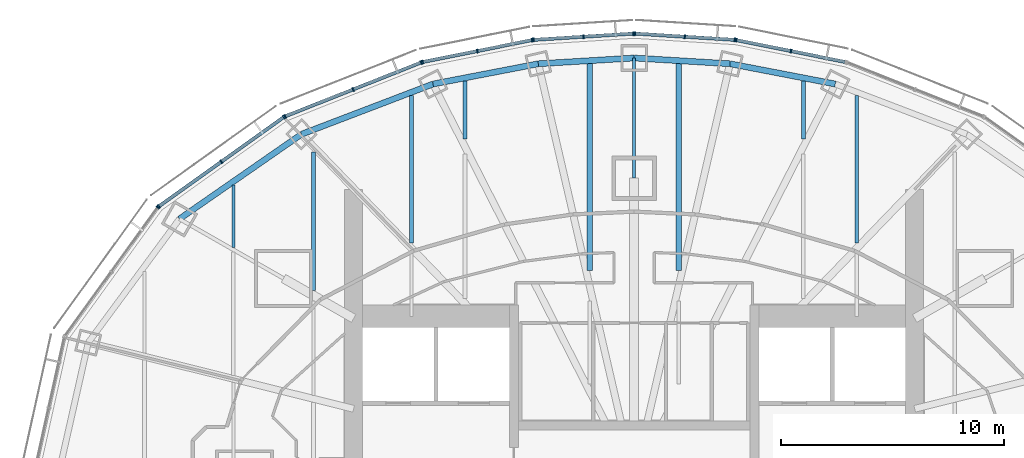
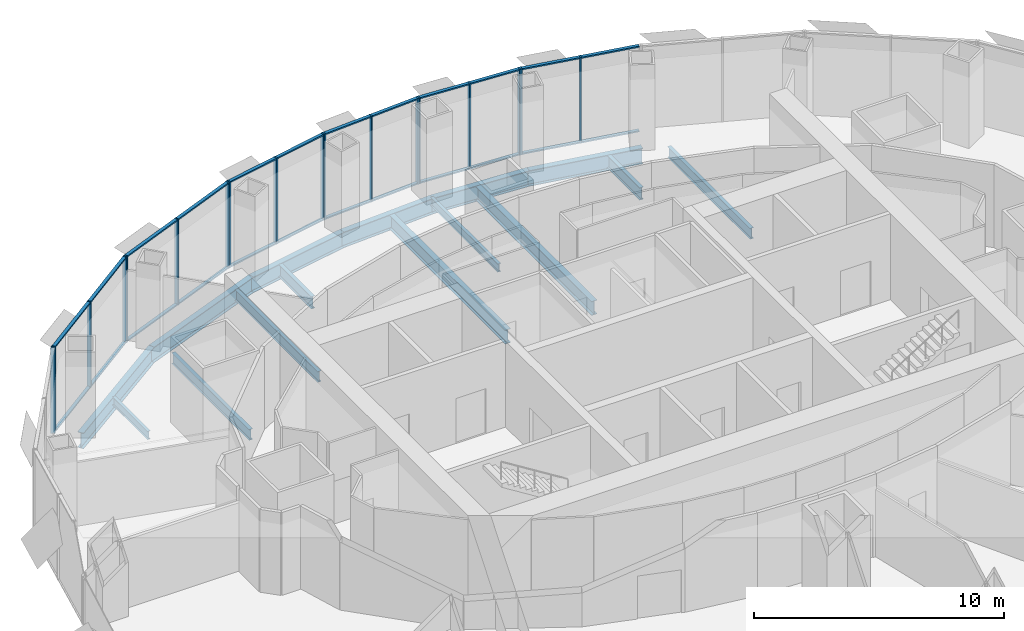
# One storey, part 8 of 17: 42 members, 15 beams, 7 elements without a shape of their own.
"""IFC4 building model written with IfcOpenShell, lengths in metres."""

from ifc_helpers import new_model, si_unit, direction, frame, origin, origin_2d, place, context, subcontext, project, spatial, rectangle, i_section, extrude, material, material_profile, profile_set, type_object, element, aggregate, save


model = new_model("IFC4")

# Units and contexts
model_context = context("Model", 3, precision=1e-05, world=origin(), true_north=direction((0.0, 1.0)))
body_context = subcontext(model_context, "Body", "Model", "MODEL_VIEW")
ifc_project = project(units=[si_unit("LENGTHUNIT", "METRE"), si_unit("AREAUNIT", "SQUARE_METRE"), si_unit("VOLUMEUNIT", "CUBIC_METRE"), si_unit("PLANEANGLEUNIT", "RADIAN"), si_unit("MASSUNIT", "GRAM", prefix="KILO")], contexts=[model_context])

# Site, building, storey
site_placement = place(None, origin())
site = spatial("IfcSite", under=ifc_project, at=site_placement, CompositionType="ELEMENT")
building_placement = place(site_placement, origin())
building = spatial("IfcBuilding", under=site, at=building_placement, Name="Lantaw Convention Tower", CompositionType="ELEMENT")
storey_placement = place(building_placement, frame((0.0, 0.0, 220.0)))
storey = spatial("IfcBuildingStorey", under=building, at=storey_placement, Name="L51", CompositionType="ELEMENT", Elevation=220.0)

# Beams
ifc_material_1 = material(Name="Steel ASTM A992", Category="steel")
ifc_material_profile_1 = material_profile(ifc_material_1, i_section(OverallWidth=0.2666015625, OverallDepth=0.76953125, WebThickness=0.015625, FlangeThickness=0.025390625, FilletRadius=0.0126953125, at=origin_2d()), Name="W30X132")
ifc_profile_set_1 = profile_set([ifc_material_profile_1], Name="Steel ASTM A992")
beam_type_1 = type_object("IfcBeamType", Name="Beam E W30X132", PredefinedType="SPANDREL", material=ifc_profile_set_1)
beam_1_placement = place(storey_placement, frame((9.03466796875, 17.7314453125, -0.534912109375), z_axis=(-0.981972091702, 0.189025953556, 0.0), x_axis=(-0.189025953556, -0.981972091702, 0.0)))
element("IfcBeam", 1, at=beam_1_placement, inside=storey, type_object=beam_type_1, Name="Edge beam 5", PredefinedType="SPANDREL", context=body_context, shape_type="SweptSolid", body=[
    extrude(i_section(OverallWidth=0.2666015625, OverallDepth=0.76953125, WebThickness=0.015625, FlangeThickness=0.025390625, FilletRadius=0.0126953125, at=origin_2d()), origin(), (0.0, 0.0, 1.0), 4.817626953125),
])
for number, where, z_axis, x_axis, name in (
    (2, (4.303955078125, 18.64208984375, -0.534912109375), (-0.998210730897, 0.059794119452, 0.0), (-0.059794119452, -0.998210730897, 0.0), "Edge beam 6"),
    (3, (0.0, 18.89990234375, -0.534912109375), (-0.998210730897, -0.059794119452, 0.0), (0.059794119452, -0.998210730897, 0.0), "Edge beam 7"),
):
    element("IfcBeam", number, at=place(storey_placement, frame(where, z_axis=z_axis, x_axis=x_axis)), inside=storey, type_object=beam_type_1, Name=name, PredefinedType="SPANDREL", context=body_context, shape_type="SweptSolid", body=[
        extrude(i_section(OverallWidth=0.2666015625, OverallDepth=0.76953125, WebThickness=0.015625, FlangeThickness=0.025390625, FilletRadius=0.0126953125, at=origin_2d()), origin(), (0.0, 0.0, 1.0), 4.311767578125),
    ])
beam_2_placement = place(storey_placement, frame((-4.303955078125, 18.64208984375, -0.534912109375), z_axis=(-0.981972091702, -0.189025953556, 0.0), x_axis=(0.189025953556, -0.981972091702, 0.0)))
element("IfcBeam", 4, at=beam_2_placement, inside=storey, type_object=beam_type_1, Name="Edge beam 8", PredefinedType="SPANDREL", context=body_context, shape_type="SweptSolid", body=[
    extrude(i_section(OverallWidth=0.2666015625, OverallDepth=0.76953125, WebThickness=0.015625, FlangeThickness=0.025390625, FilletRadius=0.0126953125, at=origin_2d()), origin(), (0.0, 0.0, 1.0), 4.817626953125),
])
beam_3_placement = place(storey_placement, frame((-9.03466796875, 17.7314453125, -0.534912109375), z_axis=(-0.934234988, -0.356658081637, 0.0), x_axis=(0.356658081637, -0.934234988, 0.0)))
element("IfcBeam", 5, at=beam_3_placement, inside=storey, type_object=beam_type_1, Name="Edge beam 9", PredefinedType="SPANDREL", context=body_context, shape_type="SweptSolid", body=[
    extrude(i_section(OverallWidth=0.2666015625, OverallDepth=0.76953125, WebThickness=0.015625, FlangeThickness=0.025390625, FilletRadius=0.0126953125, at=origin_2d()), origin(), (0.0, 0.0, 1.0), 6.32568359375),
])
beam_4_placement = place(storey_placement, frame((-14.9443359375, 15.475341796875, -0.534912109375), z_axis=(-0.82135329406, -0.570419815869, 0.0), x_axis=(0.570419815869, -0.82135329406, 0.0)))
element("IfcBeam", 6, at=beam_4_placement, inside=storey, type_object=beam_type_1, Name="Edge beam 10", PredefinedType="SPANDREL", context=body_context, shape_type="SweptSolid", body=[
    extrude(i_section(OverallWidth=0.2666015625, OverallDepth=0.76953125, WebThickness=0.015625, FlangeThickness=0.025390625, FilletRadius=0.0126953125, at=origin_2d()), origin(), (0.0, 0.0, 1.0), 6.67041015625),
])
ifc_material_profile_2 = material_profile(ifc_material_1, i_section(OverallWidth=0.140380859375, OverallDepth=0.40380859375, WebThickness=0.007080078125, FlangeThickness=0.01123046875, FilletRadius=0.01025390625, at=origin_2d()), Name="W16X31")
ifc_profile_set_2 = profile_set([ifc_material_profile_2], Name="Steel ASTM A992")
beam_type_2 = type_object("IfcBeamType", Name="Beam G W16X31", PredefinedType="BEAM", material=ifc_profile_set_2)
beam_5_placement = place(storey_placement, frame((0.0, 13.5, -0.35205078125), z_axis=(0.0, 1.0, 0.0), x_axis=(-1.0, 0.0, 0.0)))
element("IfcBeam", 7, at=beam_5_placement, inside=storey, type_object=beam_type_2, Name="Floor girder on ray 7", PredefinedType="BEAM", context=body_context, shape_type="SweptSolid", body=[
    extrude(i_section(OverallWidth=0.140380859375, OverallDepth=0.40380859375, WebThickness=0.007080078125, FlangeThickness=0.01123046875, FilletRadius=0.01025390625, at=origin_2d()), origin(), (0.0, 0.0, 1.0), 5.39990234375),
])
ifc_material_profile_3 = material_profile(ifc_material_1, i_section(OverallWidth=0.140380859375, OverallDepth=0.40380859375, WebThickness=0.007080078125, FlangeThickness=0.01123046875, FilletRadius=0.01025390625, at=origin_2d()), Name="W16X31")
ifc_profile_set_3 = profile_set([ifc_material_profile_3], Name="Steel ASTM A992")
beam_type_3 = type_object("IfcBeamType", Name="Beam J W16X31", PredefinedType="JOIST", material=ifc_profile_set_3)
beam_6_placement = place(storey_placement, frame((-18.0, 10.380859375, -0.35205078125), z_axis=(0.0, 1.0, 0.0), x_axis=(-1.0, 0.0, 0.0)))
element("IfcBeam", 8, at=beam_6_placement, inside=storey, type_object=beam_type_3, Name="Floor joist", PredefinedType="JOIST", context=body_context, shape_type="SweptSolid", body=[
    extrude(i_section(OverallWidth=0.140380859375, OverallDepth=0.40380859375, WebThickness=0.007080078125, FlangeThickness=0.01123046875, FilletRadius=0.01025390625, at=origin_2d()), origin(), (0.0, 0.0, 1.0), 2.81005859375),
])
ifc_material_profile_4 = material_profile(ifc_material_1, i_section(OverallWidth=0.1650390625, OverallDepth=0.52587890625, WebThickness=0.0087890625, FlangeThickness=0.011474609375, FilletRadius=0.0126953125, at=origin_2d()), Name="W21X44")
ifc_profile_set_4 = profile_set([ifc_material_profile_4], Name="Steel ASTM A992")
beam_type_4 = type_object("IfcBeamType", Name="Beam J W21X44", PredefinedType="JOIST", material=ifc_profile_set_4)
beam_7_placement = place(storey_placement, frame((-14.39990234375, 8.461181640625, -0.412841796875), z_axis=(0.0, 1.0, 0.0), x_axis=(-1.0, 0.0, 0.0)))
element("IfcBeam", 9, at=beam_7_placement, inside=storey, type_object=beam_type_4, Name="Floor joist", PredefinedType="JOIST", context=body_context, shape_type="SweptSolid", body=[
    extrude(i_section(OverallWidth=0.1650390625, OverallDepth=0.52587890625, WebThickness=0.0087890625, FlangeThickness=0.011474609375, FilletRadius=0.0126953125, at=origin_2d()), origin(), (0.0, 0.0, 1.0), 6.214599609375),
])
for number, where, z_axis, x_axis, name in (
    (10, (-10.0, 10.591064453125, -0.412841796875), (0.0, 1.0, 0.0), (-1.0, 0.0, 0.0), "Floor joist"),
    (11, (10.0, 10.591064453125, -0.412841796875), (0.0, 1.0, 0.0), (-1.0, 0.0, 0.0), "Floor joist"),
):
    element("IfcBeam", number, at=place(storey_placement, frame(where, z_axis=z_axis, x_axis=x_axis)), inside=storey, type_object=beam_type_4, Name=name, PredefinedType="JOIST", context=body_context, shape_type="SweptSolid", body=[
        extrude(i_section(OverallWidth=0.1650390625, OverallDepth=0.52587890625, WebThickness=0.0087890625, FlangeThickness=0.011474609375, FilletRadius=0.0126953125, at=origin_2d()), origin(), (0.0, 0.0, 1.0), 6.629150390625),
    ])
ifc_material_profile_5 = material_profile(ifc_material_1, i_section(OverallWidth=0.177978515625, OverallDepth=0.599365234375, WebThickness=0.010009765625, FlangeThickness=0.012939453125, FilletRadius=0.012939453125, at=origin_2d()), Name="W24X55")
ifc_profile_set_5 = profile_set([ifc_material_profile_5], Name="Steel ASTM A992")
beam_type_5 = type_object("IfcBeamType", Name="Beam J W24X55", PredefinedType="JOIST", material=ifc_profile_set_5)
for number, where, z_axis, x_axis, name in (
    (12, (-7.60009765625, 15.25439453125, -0.44970703125), (0.0, 1.0, 0.0), (-1.0, 0.0, 0.0), "Floor joist"),
    (13, (7.60009765625, 15.25439453125, -0.44970703125), (0.0, 1.0, 0.0), (-1.0, 0.0, 0.0), "Floor joist"),
):
    element("IfcBeam", number, at=place(storey_placement, frame(where, z_axis=z_axis, x_axis=x_axis)), inside=storey, type_object=beam_type_5, Name=name, PredefinedType="JOIST", context=body_context, shape_type="SweptSolid", body=[
        extrude(i_section(OverallWidth=0.177978515625, OverallDepth=0.599365234375, WebThickness=0.010009765625, FlangeThickness=0.012939453125, FilletRadius=0.012939453125, at=origin_2d()), origin(), (0.0, 0.0, 1.0), 2.617431640625),
    ])
ifc_material_profile_6 = material_profile(ifc_material_1, i_section(OverallWidth=0.25390625, OverallDepth=0.683349609375, WebThickness=0.012451171875, FlangeThickness=0.01904296875, FilletRadius=0.01513671875, at=origin_2d()), Name="W27X94")
ifc_profile_set_6 = profile_set([ifc_material_profile_6], Name="Steel ASTM A992")
beam_type_6 = type_object("IfcBeamType", Name="Beam J W27X94", PredefinedType="JOIST", material=ifc_profile_set_6)
for number, where, z_axis, x_axis, name in (
    (14, (-2.0, 9.34619140625, -0.49169921875), (0.0, 1.0, 0.0), (-1.0, 0.0, 0.0), "Floor joist"),
    (15, (2.0, 9.34619140625, -0.49169921875), (0.0, 1.0, 0.0), (-1.0, 0.0, 0.0), "Floor joist"),
):
    element("IfcBeam", number, at=place(storey_placement, frame(where, z_axis=z_axis, x_axis=x_axis)), inside=storey, type_object=beam_type_6, Name=name, PredefinedType="JOIST", context=body_context, shape_type="SweptSolid", body=[
        extrude(i_section(OverallWidth=0.25390625, OverallDepth=0.683349609375, WebThickness=0.012451171875, FlangeThickness=0.01904296875, FilletRadius=0.01513671875, at=origin_2d()), origin(), (0.0, 0.0, 1.0), 9.30029296875),
    ])

# Curtain wall, members
ifc_material_2 = material(Name="Aluminium framed curtain wall", Category="aluminium")
curtain_wall_type = type_object("IfcCurtainWallType", Name="Office curtain wall high rise, pale aluminium", PredefinedType="USERDEFINED", material=ifc_material_2)
curtain_wall_1_placement = place(storey_placement, origin())
curtain_wall_1 = element("IfcCurtainWall", 16, at=curtain_wall_1_placement, inside=storey, type_object=curtain_wall_type, Name="Office curtain wall high rise, pale aluminium L51", ObjectType="UNITISED CURTAIN WALL", PredefinedType="USERDEFINED")
ifc_material_3 = material(Name="Aluminium 6063-T6", Category="aluminium")
ifc_material_profile_7 = material_profile(ifc_material_3, rectangle(XDim=0.179931640625, YDim=0.06494140625, at=origin_2d()), Name="CW-O2 mullion 65x180")
ifc_profile_set_7 = profile_set([ifc_material_profile_7], Name="Aluminium 6063-T6")
member_type_1 = type_object("IfcMemberType", Name="CW-O2 mullion 65x180", PredefinedType="MULLION", material=ifc_profile_set_7)
member_1_placement = place(storey_placement, frame((7.042724609375, 19.212646484375, -0.14990234375), z_axis=(0.0, 0.0, 1.0), x_axis=(-0.197183095987, -0.980366679695, 0.0)))
member_1 = element("IfcMember", 17, at=member_1_placement, type_object=member_type_1, Name="CW-O2 mullion 2", PredefinedType="MULLION", context=body_context, shape_type="SweptSolid", body=[
    extrude(rectangle(XDim=0.179931640625, YDim=0.06494140625, at=origin_2d()), origin(), (0.0, 0.0, 1.0), 4.199951171875),
])
member_2_placement = place(storey_placement, frame((4.583251953125, 19.70751953125, -0.14990234375), z_axis=(0.0, 0.0, 1.0), x_axis=(-0.197183095987, -0.980366679695, 0.0)))
member_2 = element("IfcMember", 18, at=member_2_placement, type_object=member_type_1, Name="CW-O2 mullion 3", PredefinedType="MULLION", context=body_context, shape_type="SweptSolid", body=[
    extrude(rectangle(XDim=0.179931640625, YDim=0.06494140625, at=origin_2d()), origin(), (0.0, 0.0, 1.0), 4.199951171875),
])

curtain_wall_2_placement = place(storey_placement, origin())
curtain_wall_2 = element("IfcCurtainWall", 19, at=curtain_wall_2_placement, inside=storey, type_object=curtain_wall_type, Name="Office curtain wall high rise, pale aluminium L51", ObjectType="UNITISED CURTAIN WALL", PredefinedType="USERDEFINED")
member_3_placement = place(storey_placement, frame((4.518798828125, 19.7158203125, -0.14990234375), z_axis=(0.0, 0.0, 1.0), x_axis=(-0.062757983884, -0.998028774865, 0.0)))
member_3 = element("IfcMember", 20, at=member_3_placement, type_object=member_type_1, Name="CW-O2 mullion 1", PredefinedType="MULLION", context=body_context, shape_type="SweptSolid", body=[
    extrude(rectangle(XDim=0.179931640625, YDim=0.06494140625, at=origin_2d()), origin(), (0.0, 0.0, 1.0), 4.199951171875),
])
member_4_placement = place(storey_placement, frame((2.275634765625, 19.85693359375, -0.14990234375), z_axis=(0.0, 0.0, 1.0), x_axis=(-0.062757983884, -0.998028774865, 0.0)))
member_4 = element("IfcMember", 21, at=member_4_placement, type_object=member_type_1, Name="CW-O2 mullion 2", PredefinedType="MULLION", context=body_context, shape_type="SweptSolid", body=[
    extrude(rectangle(XDim=0.179931640625, YDim=0.06494140625, at=origin_2d()), origin(), (0.0, 0.0, 1.0), 4.199951171875),
])
member_5_placement = place(storey_placement, frame((0.032470703125, 19.998046875, -0.14990234375), z_axis=(0.0, 0.0, 1.0), x_axis=(-0.062757983884, -0.998028774865, 0.0)))
member_5 = element("IfcMember", 22, at=member_5_placement, type_object=member_type_1, Name="CW-O2 mullion 3", PredefinedType="MULLION", context=body_context, shape_type="SweptSolid", body=[
    extrude(rectangle(XDim=0.179931640625, YDim=0.06494140625, at=origin_2d()), origin(), (0.0, 0.0, 1.0), 4.199951171875),
])

curtain_wall_3_placement = place(storey_placement, origin())
curtain_wall_3 = element("IfcCurtainWall", 23, at=curtain_wall_3_placement, inside=storey, type_object=curtain_wall_type, Name="Office curtain wall high rise, pale aluminium L51", ObjectType="UNITISED CURTAIN WALL", PredefinedType="USERDEFINED")
member_6_placement = place(storey_placement, frame((-0.032470703125, 19.998046875, -0.14990234375), z_axis=(0.0, 0.0, 1.0), x_axis=(0.062757983884, -0.998028774865, 0.0)))
member_6 = element("IfcMember", 24, at=member_6_placement, type_object=member_type_1, Name="CW-O2 mullion 1", PredefinedType="MULLION", context=body_context, shape_type="SweptSolid", body=[
    extrude(rectangle(XDim=0.179931640625, YDim=0.06494140625, at=origin_2d()), origin(), (0.0, 0.0, 1.0), 4.199951171875),
])
member_7_placement = place(storey_placement, frame((-2.275634765625, 19.85693359375, -0.14990234375), z_axis=(0.0, 0.0, 1.0), x_axis=(0.062757983884, -0.998028774865, 0.0)))
member_7 = element("IfcMember", 25, at=member_7_placement, type_object=member_type_1, Name="CW-O2 mullion 2", PredefinedType="MULLION", context=body_context, shape_type="SweptSolid", body=[
    extrude(rectangle(XDim=0.179931640625, YDim=0.06494140625, at=origin_2d()), origin(), (0.0, 0.0, 1.0), 4.199951171875),
])
member_8_placement = place(storey_placement, frame((-4.518798828125, 19.7158203125, -0.14990234375), z_axis=(0.0, 0.0, 1.0), x_axis=(0.062757983884, -0.998028774865, 0.0)))
member_8 = element("IfcMember", 26, at=member_8_placement, type_object=member_type_1, Name="CW-O2 mullion 3", PredefinedType="MULLION", context=body_context, shape_type="SweptSolid", body=[
    extrude(rectangle(XDim=0.179931640625, YDim=0.06494140625, at=origin_2d()), origin(), (0.0, 0.0, 1.0), 4.199951171875),
])

curtain_wall_4_placement = place(storey_placement, origin())
curtain_wall_4 = element("IfcCurtainWall", 27, at=curtain_wall_4_placement, inside=storey, type_object=curtain_wall_type, Name="Office curtain wall high rise, pale aluminium L51", ObjectType="UNITISED CURTAIN WALL", PredefinedType="USERDEFINED")
member_9_placement = place(storey_placement, frame((-4.583251953125, 19.70751953125, -0.14990234375), z_axis=(0.0, 0.0, 1.0), x_axis=(0.197183095987, -0.980366679695, 0.0)))
member_9 = element("IfcMember", 28, at=member_9_placement, type_object=member_type_1, Name="CW-O2 mullion 1", PredefinedType="MULLION", context=body_context, shape_type="SweptSolid", body=[
    extrude(rectangle(XDim=0.179931640625, YDim=0.06494140625, at=origin_2d()), origin(), (0.0, 0.0, 1.0), 4.199951171875),
])
member_10_placement = place(storey_placement, frame((-7.042724609375, 19.212646484375, -0.14990234375), z_axis=(0.0, 0.0, 1.0), x_axis=(0.197183095987, -0.980366679695, 0.0)))
member_10 = element("IfcMember", 29, at=member_10_placement, type_object=member_type_1, Name="CW-O2 mullion 2", PredefinedType="MULLION", context=body_context, shape_type="SweptSolid", body=[
    extrude(rectangle(XDim=0.179931640625, YDim=0.06494140625, at=origin_2d()), origin(), (0.0, 0.0, 1.0), 4.199951171875),
])
member_11_placement = place(storey_placement, frame((-9.502197265625, 18.718017578125, -0.14990234375), z_axis=(0.0, 0.0, 1.0), x_axis=(0.197183095987, -0.980366679695, 0.0)))
member_11 = element("IfcMember", 30, at=member_11_placement, type_object=member_type_1, Name="CW-O2 mullion 3", PredefinedType="MULLION", context=body_context, shape_type="SweptSolid", body=[
    extrude(rectangle(XDim=0.179931640625, YDim=0.06494140625, at=origin_2d()), origin(), (0.0, 0.0, 1.0), 4.199951171875),
])

curtain_wall_5_placement = place(storey_placement, origin())
curtain_wall_5 = element("IfcCurtainWall", 31, at=curtain_wall_5_placement, inside=storey, type_object=curtain_wall_type, Name="Office curtain wall high rise, pale aluminium L51", ObjectType="UNITISED CURTAIN WALL", PredefinedType="USERDEFINED")
member_12_placement = place(storey_placement, frame((-9.564208984375, 18.69970703125, -0.14990234375), z_axis=(0.0, 0.0, 1.0), x_axis=(0.368162315252, -0.929761533743, 0.0)))
member_12 = element("IfcMember", 32, at=member_12_placement, type_object=member_type_1, Name="CW-O2 mullion 1", PredefinedType="MULLION", context=body_context, shape_type="SweptSolid", body=[
    extrude(rectangle(XDim=0.179931640625, YDim=0.06494140625, at=origin_2d()), origin(), (0.0, 0.0, 1.0), 4.199951171875),
])
member_13_placement = place(storey_placement, frame((-12.621337890625, 17.4892578125, -0.14990234375), z_axis=(0.0, 0.0, 1.0), x_axis=(0.368162315252, -0.929761533743, 0.0)))
member_13 = element("IfcMember", 33, at=member_13_placement, type_object=member_type_1, Name="CW-O2 mullion 2", PredefinedType="MULLION", context=body_context, shape_type="SweptSolid", body=[
    extrude(rectangle(XDim=0.179931640625, YDim=0.06494140625, at=origin_2d()), origin(), (0.0, 0.0, 1.0), 4.199951171875),
])
member_14_placement = place(storey_placement, frame((-15.67822265625, 16.278564453125, -0.14990234375), z_axis=(0.0, 0.0, 1.0), x_axis=(0.368162315252, -0.929761533743, 0.0)))
member_14 = element("IfcMember", 34, at=member_14_placement, type_object=member_type_1, Name="CW-O2 mullion 3", PredefinedType="MULLION", context=body_context, shape_type="SweptSolid", body=[
    extrude(rectangle(XDim=0.179931640625, YDim=0.06494140625, at=origin_2d()), origin(), (0.0, 0.0, 1.0), 4.199951171875),
])

curtain_wall_6_placement = place(storey_placement, origin())
curtain_wall_6 = element("IfcCurtainWall", 35, at=curtain_wall_6_placement, inside=storey, type_object=curtain_wall_type, Name="Office curtain wall high rise, pale aluminium L51", ObjectType="UNITISED CURTAIN WALL", PredefinedType="USERDEFINED")
member_15_placement = place(storey_placement, frame((-15.73486328125, 16.247802734375, -0.14990234375), z_axis=(0.0, 0.0, 1.0), x_axis=(0.581323487281, -0.813672540482, 0.0)))
member_15 = element("IfcMember", 36, at=member_15_placement, type_object=member_type_1, Name="CW-O2 mullion 1", PredefinedType="MULLION", context=body_context, shape_type="SweptSolid", body=[
    extrude(rectangle(XDim=0.179931640625, YDim=0.06494140625, at=origin_2d()), origin(), (0.0, 0.0, 1.0), 4.199951171875),
])
member_16_placement = place(storey_placement, frame((-18.543212890625, 14.241455078125, -0.14990234375), z_axis=(0.0, 0.0, 1.0), x_axis=(0.581323487281, -0.813672540482, 0.0)))
member_16 = element("IfcMember", 37, at=member_16_placement, type_object=member_type_1, Name="CW-O2 mullion 2", PredefinedType="MULLION", context=body_context, shape_type="SweptSolid", body=[
    extrude(rectangle(XDim=0.179931640625, YDim=0.06494140625, at=origin_2d()), origin(), (0.0, 0.0, 1.0), 4.199951171875),
])
member_17_placement = place(storey_placement, frame((-21.3515625, 12.23486328125, -0.14990234375), z_axis=(0.0, 0.0, 1.0), x_axis=(0.581323487281, -0.813672540482, 0.0)))
member_17 = element("IfcMember", 38, at=member_17_placement, type_object=member_type_1, Name="CW-O2 mullion 3", PredefinedType="MULLION", context=body_context, shape_type="SweptSolid", body=[
    extrude(rectangle(XDim=0.179931640625, YDim=0.06494140625, at=origin_2d()), origin(), (0.0, 0.0, 1.0), 4.199951171875),
])

# Curtain wall, member
curtain_wall_7_placement = place(storey_placement, origin())
curtain_wall_7 = element("IfcCurtainWall", 39, at=curtain_wall_7_placement, inside=storey, type_object=curtain_wall_type, Name="Office curtain wall high rise, pale aluminium L51", ObjectType="UNITISED CURTAIN WALL", PredefinedType="USERDEFINED")
member_18_placement = place(storey_placement, frame((-21.397216796875, 12.189697265625, -0.14990234375), z_axis=(0.0, 0.0, 1.0), x_axis=(0.810919559405, -0.585157643865, 0.0)))
member_18 = element("IfcMember", 40, at=member_18_placement, type_object=member_type_1, Name="CW-O2 mullion 1", PredefinedType="MULLION", context=body_context, shape_type="SweptSolid", body=[
    extrude(rectangle(XDim=0.179931640625, YDim=0.06494140625, at=origin_2d()), origin(), (0.0, 0.0, 1.0), 4.199951171875),
])
aggregate(curtain_wall_7, [member_18])

# Member
ifc_material_profile_8 = material_profile(ifc_material_3, rectangle(XDim=0.14990234375, YDim=0.06494140625, at=origin_2d()), Name="CW-O2 transom 65x150")
ifc_profile_set_8 = profile_set([ifc_material_profile_8], Name="Aluminium 6063-T6")
member_type_2 = type_object("IfcMemberType", Name="CW-O2 transom 65x150", PredefinedType="USERDEFINED", material=ifc_profile_set_8)
member_19_placement = place(storey_placement, frame((9.47021484375, 18.724365234375, -0.117431640625), z_axis=(-0.98036104319, 0.197211117829, 0.0), x_axis=(-0.197211117829, -0.98036104319, 0.0)))
member_19 = element("IfcMember", 41, at=member_19_placement, type_object=member_type_2, Name="CW-O2 transom 1.1", ObjectType="TRANSOM", PredefinedType="USERDEFINED", context=body_context, shape_type="SweptSolid", body=[
    extrude(rectangle(XDim=0.14990234375, YDim=0.06494140625, at=origin_2d()), origin(), (0.0, 0.0, 1.0), 2.44384765625),
])

member_20_placement = place(storey_placement, frame((9.47021484375, 18.724365234375, 4.017578125), z_axis=(-0.98036104319, 0.197211117829, 0.0), x_axis=(-0.197211117829, -0.98036104319, 0.0)))
member_20 = element("IfcMember", 42, at=member_20_placement, type_object=member_type_2, Name="CW-O2 transom 1.2", ObjectType="TRANSOM", PredefinedType="USERDEFINED", context=body_context, shape_type="SweptSolid", body=[
    extrude(rectangle(XDim=0.14990234375, YDim=0.06494140625, at=origin_2d()), origin(), (0.0, 0.0, 1.0), 2.44384765625),
])

member_21_placement = place(storey_placement, frame((7.0107421875, 19.21923828125, -0.117431640625), z_axis=(-0.980380354178, 0.197115096178, 0.0), x_axis=(-0.197115096178, -0.980380354178, 0.0)))
member_21 = element("IfcMember", 43, at=member_21_placement, type_object=member_type_2, Name="CW-O2 transom 2.1", ObjectType="TRANSOM", PredefinedType="USERDEFINED", context=body_context, shape_type="SweptSolid", body=[
    extrude(rectangle(XDim=0.14990234375, YDim=0.06494140625, at=origin_2d()), origin(), (0.0, 0.0, 1.0), 2.443603515625),
])

member_22_placement = place(storey_placement, frame((7.0107421875, 19.21923828125, 4.017578125), z_axis=(-0.980380354178, 0.197115096178, 0.0), x_axis=(-0.197115096178, -0.980380354178, 0.0)))
member_22 = element("IfcMember", 44, at=member_22_placement, type_object=member_type_2, Name="CW-O2 transom 2.2", ObjectType="TRANSOM", PredefinedType="USERDEFINED", context=body_context, shape_type="SweptSolid", body=[
    extrude(rectangle(XDim=0.14990234375, YDim=0.06494140625, at=origin_2d()), origin(), (0.0, 0.0, 1.0), 2.443603515625),
])

aggregate(curtain_wall_1, [member_1, member_2, member_19, member_20, member_21, member_22])

member_23_placement = place(storey_placement, frame((4.486328125, 19.7177734375, -0.117431640625), z_axis=(-0.998021991509, 0.062865765437, 0.0), x_axis=(-0.062865765437, -0.998021991509, 0.0)))
member_23 = element("IfcMember", 45, at=member_23_placement, type_object=member_type_2, Name="CW-O2 transom 1.1", ObjectType="TRANSOM", PredefinedType="USERDEFINED", context=body_context, shape_type="SweptSolid", body=[
    extrude(rectangle(XDim=0.14990234375, YDim=0.06494140625, at=origin_2d()), origin(), (0.0, 0.0, 1.0), 2.1826171875),
])

member_24_placement = place(storey_placement, frame((4.486328125, 19.7177734375, 4.017578125), z_axis=(-0.998021991509, 0.062865765437, 0.0), x_axis=(-0.062865765437, -0.998021991509, 0.0)))
member_24 = element("IfcMember", 46, at=member_24_placement, type_object=member_type_2, Name="CW-O2 transom 1.2", ObjectType="TRANSOM", PredefinedType="USERDEFINED", context=body_context, shape_type="SweptSolid", body=[
    extrude(rectangle(XDim=0.14990234375, YDim=0.06494140625, at=origin_2d()), origin(), (0.0, 0.0, 1.0), 2.1826171875),
])

member_25_placement = place(storey_placement, frame((2.2431640625, 19.85888671875, -0.117431640625), z_axis=(-0.998029003644, 0.062754345555, 0.0), x_axis=(-0.062754345555, -0.998029003644, 0.0)))
member_25 = element("IfcMember", 47, at=member_25_placement, type_object=member_type_2, Name="CW-O2 transom 2.1", ObjectType="TRANSOM", PredefinedType="USERDEFINED", context=body_context, shape_type="SweptSolid", body=[
    extrude(rectangle(XDim=0.14990234375, YDim=0.06494140625, at=origin_2d()), origin(), (0.0, 0.0, 1.0), 2.1826171875),
])

member_26_placement = place(storey_placement, frame((2.2431640625, 19.85888671875, 4.017578125), z_axis=(-0.998029003644, 0.062754345555, 0.0), x_axis=(-0.062754345555, -0.998029003644, 0.0)))
member_26 = element("IfcMember", 48, at=member_26_placement, type_object=member_type_2, Name="CW-O2 transom 2.2", ObjectType="TRANSOM", PredefinedType="USERDEFINED", context=body_context, shape_type="SweptSolid", body=[
    extrude(rectangle(XDim=0.14990234375, YDim=0.06494140625, at=origin_2d()), origin(), (0.0, 0.0, 1.0), 2.1826171875),
])

aggregate(curtain_wall_2, [member_3, member_4, member_5, member_23, member_24, member_25, member_26])

member_27_placement = place(storey_placement, frame((-0.06494140625, 19.995849609375, -0.117431640625), z_axis=(-0.998029003644, -0.062754345555, 0.0), x_axis=(0.062754345555, -0.998029003644, 0.0)))
member_27 = element("IfcMember", 49, at=member_27_placement, type_object=member_type_2, Name="CW-O2 transom 1.1", ObjectType="TRANSOM", PredefinedType="USERDEFINED", context=body_context, shape_type="SweptSolid", body=[
    extrude(rectangle(XDim=0.14990234375, YDim=0.06494140625, at=origin_2d()), origin(), (0.0, 0.0, 1.0), 2.1826171875),
])

member_28_placement = place(storey_placement, frame((-0.06494140625, 19.995849609375, 4.017578125), z_axis=(-0.998029003644, -0.062754345555, 0.0), x_axis=(0.062754345555, -0.998029003644, 0.0)))
member_28 = element("IfcMember", 50, at=member_28_placement, type_object=member_type_2, Name="CW-O2 transom 1.2", ObjectType="TRANSOM", PredefinedType="USERDEFINED", context=body_context, shape_type="SweptSolid", body=[
    extrude(rectangle(XDim=0.14990234375, YDim=0.06494140625, at=origin_2d()), origin(), (0.0, 0.0, 1.0), 2.1826171875),
])

member_29_placement = place(storey_placement, frame((-2.30810546875, 19.85498046875, -0.117431640625), z_axis=(-0.998021991509, -0.062865765437, 0.0), x_axis=(0.062865765437, -0.998021991509, 0.0)))
member_29 = element("IfcMember", 51, at=member_29_placement, type_object=member_type_2, Name="CW-O2 transom 2.1", ObjectType="TRANSOM", PredefinedType="USERDEFINED", context=body_context, shape_type="SweptSolid", body=[
    extrude(rectangle(XDim=0.14990234375, YDim=0.06494140625, at=origin_2d()), origin(), (0.0, 0.0, 1.0), 2.1826171875),
])

member_30_placement = place(storey_placement, frame((-2.30810546875, 19.85498046875, 4.017578125), z_axis=(-0.998021991509, -0.062865765437, 0.0), x_axis=(0.062865765437, -0.998021991509, 0.0)))
member_30 = element("IfcMember", 52, at=member_30_placement, type_object=member_type_2, Name="CW-O2 transom 2.2", ObjectType="TRANSOM", PredefinedType="USERDEFINED", context=body_context, shape_type="SweptSolid", body=[
    extrude(rectangle(XDim=0.14990234375, YDim=0.06494140625, at=origin_2d()), origin(), (0.0, 0.0, 1.0), 2.1826171875),
])

aggregate(curtain_wall_3, [member_6, member_7, member_8, member_27, member_28, member_29, member_30])

member_31_placement = place(storey_placement, frame((-4.614990234375, 19.700927734375, -0.117431640625), z_axis=(-0.980380354178, -0.197115096178, 0.0), x_axis=(0.197115096178, -0.980380354178, 0.0)))
member_31 = element("IfcMember", 53, at=member_31_placement, type_object=member_type_2, Name="CW-O2 transom 1.1", ObjectType="TRANSOM", PredefinedType="USERDEFINED", context=body_context, shape_type="SweptSolid", body=[
    extrude(rectangle(XDim=0.14990234375, YDim=0.06494140625, at=origin_2d()), origin(), (0.0, 0.0, 1.0), 2.443603515625),
])

member_32_placement = place(storey_placement, frame((-4.614990234375, 19.700927734375, 4.017578125), z_axis=(-0.980380354178, -0.197115096178, 0.0), x_axis=(0.197115096178, -0.980380354178, 0.0)))
member_32 = element("IfcMember", 54, at=member_32_placement, type_object=member_type_2, Name="CW-O2 transom 1.2", ObjectType="TRANSOM", PredefinedType="USERDEFINED", context=body_context, shape_type="SweptSolid", body=[
    extrude(rectangle(XDim=0.14990234375, YDim=0.06494140625, at=origin_2d()), origin(), (0.0, 0.0, 1.0), 2.443603515625),
])

member_33_placement = place(storey_placement, frame((-7.074462890625, 19.206298828125, -0.117431640625), z_axis=(-0.98036104319, -0.197211117829, 0.0), x_axis=(0.197211117829, -0.98036104319, 0.0)))
member_33 = element("IfcMember", 55, at=member_33_placement, type_object=member_type_2, Name="CW-O2 transom 2.1", ObjectType="TRANSOM", PredefinedType="USERDEFINED", context=body_context, shape_type="SweptSolid", body=[
    extrude(rectangle(XDim=0.14990234375, YDim=0.06494140625, at=origin_2d()), origin(), (0.0, 0.0, 1.0), 2.44384765625),
])

member_34_placement = place(storey_placement, frame((-7.074462890625, 19.206298828125, 4.017578125), z_axis=(-0.98036104319, -0.197211117829, 0.0), x_axis=(0.197211117829, -0.98036104319, 0.0)))
member_34 = element("IfcMember", 56, at=member_34_placement, type_object=member_type_2, Name="CW-O2 transom 2.2", ObjectType="TRANSOM", PredefinedType="USERDEFINED", context=body_context, shape_type="SweptSolid", body=[
    extrude(rectangle(XDim=0.14990234375, YDim=0.06494140625, at=origin_2d()), origin(), (0.0, 0.0, 1.0), 2.44384765625),
])

aggregate(curtain_wall_4, [member_9, member_10, member_11, member_31, member_32, member_33, member_34])

member_35_placement = place(storey_placement, frame((-9.594482421875, 18.687744140625, -0.117431640625), z_axis=(-0.929766642946, -0.368149412149, 0.0), x_axis=(0.368149412149, -0.929766642946, 0.0)))
member_35 = element("IfcMember", 57, at=member_35_placement, type_object=member_type_2, Name="CW-O2 transom 1.1", ObjectType="TRANSOM", PredefinedType="USERDEFINED", context=body_context, shape_type="SweptSolid", body=[
    extrude(rectangle(XDim=0.14990234375, YDim=0.06494140625, at=origin_2d()), origin(), (0.0, 0.0, 1.0), 3.222900390625),
])

member_36_placement = place(storey_placement, frame((-9.594482421875, 18.687744140625, 4.017578125), z_axis=(-0.929766642946, -0.368149412149, 0.0), x_axis=(0.368149412149, -0.929766642946, 0.0)))
member_36 = element("IfcMember", 58, at=member_36_placement, type_object=member_type_2, Name="CW-O2 transom 1.2", ObjectType="TRANSOM", PredefinedType="USERDEFINED", context=body_context, shape_type="SweptSolid", body=[
    extrude(rectangle(XDim=0.14990234375, YDim=0.06494140625, at=origin_2d()), origin(), (0.0, 0.0, 1.0), 3.222900390625),
])

member_37_placement = place(storey_placement, frame((-12.651611328125, 17.477294921875, -0.117431640625), z_axis=(-0.929740712354, -0.368214893495, 0.0), x_axis=(0.368214893495, -0.929740712354, 0.0)))
member_37 = element("IfcMember", 59, at=member_37_placement, type_object=member_type_2, Name="CW-O2 transom 2.1", ObjectType="TRANSOM", PredefinedType="USERDEFINED", context=body_context, shape_type="SweptSolid", body=[
    extrude(rectangle(XDim=0.14990234375, YDim=0.06494140625, at=origin_2d()), origin(), (0.0, 0.0, 1.0), 3.22314453125),
])

member_38_placement = place(storey_placement, frame((-12.651611328125, 17.477294921875, 4.017578125), z_axis=(-0.929740712354, -0.368214893495, 0.0), x_axis=(0.368214893495, -0.929740712354, 0.0)))
member_38 = element("IfcMember", 60, at=member_38_placement, type_object=member_type_2, Name="CW-O2 transom 2.2", ObjectType="TRANSOM", PredefinedType="USERDEFINED", context=body_context, shape_type="SweptSolid", body=[
    extrude(rectangle(XDim=0.14990234375, YDim=0.06494140625, at=origin_2d()), origin(), (0.0, 0.0, 1.0), 3.22314453125),
])

aggregate(curtain_wall_5, [member_12, member_13, member_14, member_35, member_36, member_37, member_38])

member_39_placement = place(storey_placement, frame((-15.761474609375, 16.22900390625, -0.117431640625), z_axis=(-0.813645780821, -0.581360940683, 0.0), x_axis=(0.581360940683, -0.813645780821, 0.0)))
member_39 = element("IfcMember", 61, at=member_39_placement, type_object=member_type_2, Name="CW-O2 transom 1.1", ObjectType="TRANSOM", PredefinedType="USERDEFINED", context=body_context, shape_type="SweptSolid", body=[
    extrude(rectangle(XDim=0.14990234375, YDim=0.06494140625, at=origin_2d()), origin(), (0.0, 0.0, 1.0), 3.386474609375),
])

member_40_placement = place(storey_placement, frame((-15.761474609375, 16.22900390625, 4.017578125), z_axis=(-0.813645780821, -0.581360940683, 0.0), x_axis=(0.581360940683, -0.813645780821, 0.0)))
member_40 = element("IfcMember", 62, at=member_40_placement, type_object=member_type_2, Name="CW-O2 transom 1.2", ObjectType="TRANSOM", PredefinedType="USERDEFINED", context=body_context, shape_type="SweptSolid", body=[
    extrude(rectangle(XDim=0.14990234375, YDim=0.06494140625, at=origin_2d()), origin(), (0.0, 0.0, 1.0), 3.386474609375),
])

member_41_placement = place(storey_placement, frame((-18.56982421875, 14.222412109375, -0.117431640625), z_axis=(-0.813679882592, -0.581313210468, 0.0), x_axis=(0.581313210468, -0.813679882592, 0.0)))
member_41 = element("IfcMember", 63, at=member_41_placement, type_object=member_type_2, Name="CW-O2 transom 2.1", ObjectType="TRANSOM", PredefinedType="USERDEFINED", context=body_context, shape_type="SweptSolid", body=[
    extrude(rectangle(XDim=0.14990234375, YDim=0.06494140625, at=origin_2d()), origin(), (0.0, 0.0, 1.0), 3.38623046875),
])

member_42_placement = place(storey_placement, frame((-18.56982421875, 14.222412109375, 4.017578125), z_axis=(-0.813679882592, -0.581313210468, 0.0), x_axis=(0.581313210468, -0.813679882592, 0.0)))
member_42 = element("IfcMember", 64, at=member_42_placement, type_object=member_type_2, Name="CW-O2 transom 2.2", ObjectType="TRANSOM", PredefinedType="USERDEFINED", context=body_context, shape_type="SweptSolid", body=[
    extrude(rectangle(XDim=0.14990234375, YDim=0.06494140625, at=origin_2d()), origin(), (0.0, 0.0, 1.0), 3.38623046875),
])

aggregate(curtain_wall_6, [member_15, member_16, member_17, member_39, member_40, member_41, member_42])

save(model, "model.ifc")
